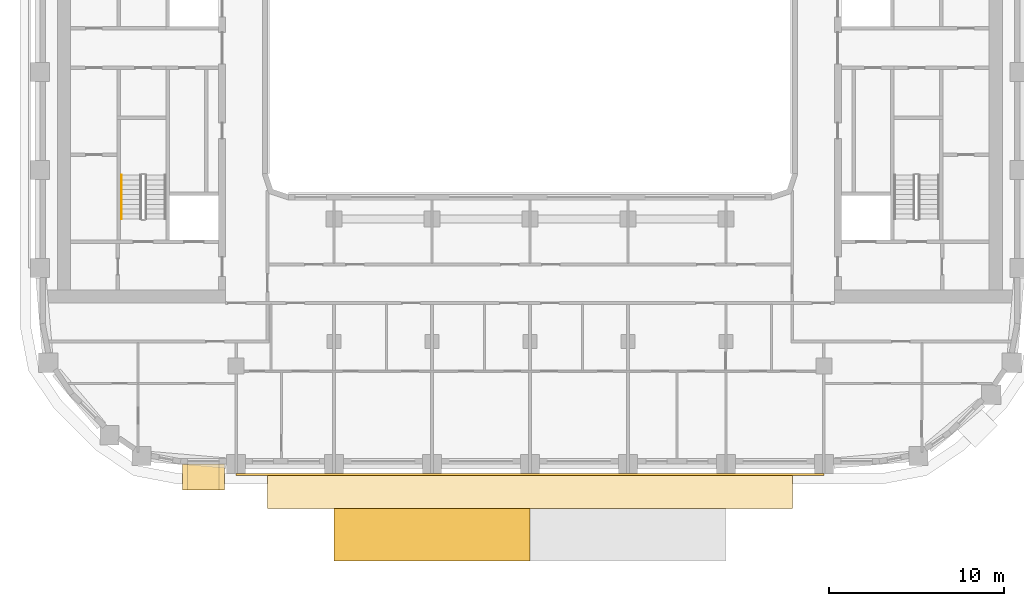
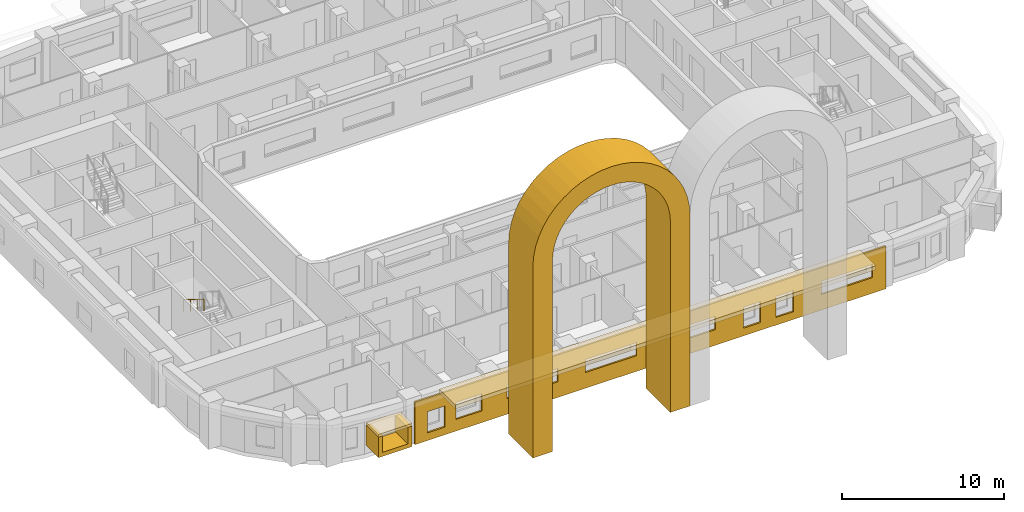
# One storey, part 11 of 18: 5 coverings, 1 railing.
"""IFC4 building model written with IfcOpenShell, lengths in metres."""

from ifc_helpers import new_model, si_unit, direction, frame, origin, origin_2d, place, context, subcontext, project, spatial, polyline, rectangle, circle, outline, extrude, material, layer, layer_set, type_object, element, save


model = new_model("IFC4")

# Units and contexts
model_context = context("Model", 3, precision=1e-05, world=origin(), true_north=direction((0.0, 1.0)))
body_context = subcontext(model_context, "Body", "Model", "MODEL_VIEW")
ifc_project = project(units=[si_unit("LENGTHUNIT", "METRE"), si_unit("AREAUNIT", "SQUARE_METRE"), si_unit("VOLUMEUNIT", "CUBIC_METRE"), si_unit("PLANEANGLEUNIT", "RADIAN"), si_unit("MASSUNIT", "GRAM", prefix="KILO")], contexts=[model_context])

# Site, building, storey
site_placement = place(None, origin())
site = spatial("IfcSite", under=ifc_project, at=site_placement, CompositionType="ELEMENT")
building_placement = place(site_placement, origin())
building = spatial("IfcBuilding", under=site, at=building_placement, Name="Kiln Ring Residences", CompositionType="ELEMENT")
storey_placement = place(building_placement, frame((0.0, 0.0, 157.10009765625)))
storey = spatial("IfcBuildingStorey", under=building, at=storey_placement, Name="L40", CompositionType="ELEMENT", Elevation=157.10009765625)

# Covering
ifc_material_1 = material(Name="Brick masonry, dark clay brick", Category="masonry")
ifc_layer_1 = layer(ifc_material_1, 1.39990234375)
ifc_layer_set_1 = layer_set([ifc_layer_1], Name="ARCH SURROUND 3000")
covering_type_1 = type_object("IfcCoveringType", Name="ARCH SURROUND 3000", PredefinedType="CLADDING", material=ifc_layer_set_1)
covering_1_placement = place(storey_placement, frame((0.0, -26.449951171875, 0.0), z_axis=(0.0, 0.0, 1.0), x_axis=(-1.0, 0.0, 0.0)))
element("IfcCovering", 1, at=covering_1_placement, inside=storey, type_object=covering_type_1, Name="ARCH SURROUND Z3 S2.1", PredefinedType="CLADDING", context=body_context, shape_type="SweptSolid", body=[
    extrude(outline(polyline([(11.199951171875, 0.0), (11.199951171875, 14.39990234375), (11.152099609375, 15.130859375), (11.00927734375, 15.849365234375), (10.773681640625, 16.54296875), (10.44970703125, 17.199951171875), (10.042724609375, 17.80908203125), (9.559814453125, 18.359619140625), (9.009033203125, 18.8427734375), (8.39990234375, 19.24951171875), (7.742919921875, 19.573486328125), (7.04931640625, 19.80908203125), (6.330810546875, 19.951904296875), (5.60009765625, 20.0), (4.869140625, 19.951904296875), (4.150634765625, 19.80908203125), (3.45703125, 19.573486328125), (2.800048828125, 19.24951171875), (2.19091796875, 18.8427734375), (1.64013671875, 18.359619140625), (1.1572265625, 17.80908203125), (0.750244140625, 17.199951171875), (0.42626953125, 16.54296875), (0.19091796875, 15.849365234375), (0.0478515625, 15.130859375), (0.0, 14.39990234375), (0.0, 0.0), (1.39990234375, 0.0), (1.39990234375, 14.39990234375), (1.435791015625, 14.947998046875), (1.543212890625, 15.48681640625), (1.7197265625, 16.00732421875), (1.962646484375, 16.5), (2.267822265625, 16.956787109375), (2.630126953125, 17.36962890625), (3.043212890625, 17.73193359375), (3.5, 18.037109375), (3.99267578125, 18.2802734375), (4.512939453125, 18.456787109375), (5.0517578125, 18.56396484375), (5.60009765625, 18.599853515625), (6.148193359375, 18.56396484375), (6.68701171875, 18.456787109375), (7.207275390625, 18.2802734375), (7.699951171875, 18.037109375), (8.15673828125, 17.73193359375), (8.56982421875, 17.36962890625), (8.93212890625, 16.956787109375), (9.2373046875, 16.5), (9.480224609375, 16.00732421875), (9.656982421875, 15.48681640625), (9.76416015625, 14.947998046875), (9.800048828125, 14.39990234375), (9.800048828125, 0.0), (11.199951171875, 0.0)])), frame((0.0, 1.5, 0.0), z_axis=(0.0, -1.0, 0.0), x_axis=(1.0, 0.0, 0.0)), (0.0, 0.0, 1.0), 3.0),
])

# Railing
ifc_material_2 = material(Name="Stainless steel", Category="steel")
railing_type = type_object("IfcRailingType", Name="CORE-STAIR-HANDRAIL", PredefinedType="HANDRAIL", material=ifc_material_2)
railing_placement = place(storey_placement, frame((-23.35009765625, -5.8798828125, 1.9248046875)))
element("IfcRailing", 2, at=railing_placement, inside=storey, type_object=railing_type, Name="L40 W-STS stair handrail 2", PredefinedType="HANDRAIL", context=body_context, shape_type="SweptSolid", body=[
    extrude(circle(Radius=0.02392578125, at=origin_2d()), frame((0.0, 0.0, 0.8759765625), z_axis=(0.0, -0.847970611238, 0.530043245855), x_axis=(1.0, 0.0, 0.0)), (0.0, 0.0, 1.0), 2.971923828125),
    extrude(circle(Radius=0.02099609375, at=origin_2d()), origin(), (0.0, 0.0, 1.0), 0.851806640625),
    extrude(circle(Radius=0.02099609375, at=origin_2d()), frame((0.0, -0.840087890625, 0.525146484375)), (0.0, 0.0, 1.0), 0.851806640625),
    extrude(circle(Radius=0.02099609375, at=origin_2d()), frame((0.0, -1.679931640625, 1.050048828125)), (0.0, 0.0, 1.0), 0.851806640625),
    extrude(circle(Radius=0.02099609375, at=origin_2d()), frame((0.0, -2.52001953125, 1.5751953125)), (0.0, 0.0, 1.0), 0.851806640625),
])

# Coverings
ifc_material_3 = material(Name="Brick masonry, dark clay brick", Category="masonry")
ifc_layer_2 = layer(ifc_material_3, 0.300048828125)
ifc_layer_set_2 = layer_set([ifc_layer_2], Name="FRAME CHEEKS AND SILL 1500")
covering_type_2 = type_object("IfcCoveringType", Name="FRAME CHEEKS AND SILL 1500", PredefinedType="CLADDING", material=ifc_layer_set_2)
covering_2_placement = place(storey_placement, frame((-19.875, -23.14990234375, 0.599853515625), z_axis=(0.0, 0.0, 1.0), x_axis=(1.0, 0.0, 0.0)))
element("IfcCovering", 3, at=covering_2_placement, inside=storey, type_object=covering_type_2, Name="FRAME L40", PredefinedType="CLADDING", context=body_context, shape_type="SweptSolid", body=[
    extrude(outline(polyline([(0.0, 0.0), (2.39990234375, 0.0), (2.39990234375, 1.550048828125), (2.10107421875, 1.550048828125), (2.10009765625, 0.300048828125), (0.300048828125, 0.300048828125), (0.299072265625, 1.550048828125), (0.0, 1.550048828125), (0.0, 0.0)])), frame((0.0, 0.75, 0.0), z_axis=(0.0, -1.0, 0.0), x_axis=(1.0, 0.0, 0.0)), (0.0, 0.0, 1.0), 1.5),
])
ifc_material_4 = material(Name="Brick masonry, dark clay brick", Category="masonry")
ifc_layer_3 = layer(ifc_material_4, 0.199951171875)
ifc_layer_set_3 = layer_set([ifc_layer_3], Name="FRAME HEAD 1500")
covering_type_3 = type_object("IfcCoveringType", Name="FRAME HEAD 1500", PredefinedType="CLADDING", material=ifc_layer_set_3)
covering_3_placement = place(storey_placement, frame((-18.675048828125, -23.14990234375, 2.14990234375), z_axis=(0.0, 0.0, 1.0), x_axis=(1.0, 0.0, 0.0)))
element("IfcCovering", 4, at=covering_3_placement, inside=storey, type_object=covering_type_3, Name="FRAME HEAD L40", PredefinedType="CLADDING", context=body_context, shape_type="SweptSolid", body=[
    extrude(rectangle(XDim=2.39990234375, YDim=1.5, at=origin_2d()), origin(), (0.0, 0.0, 1.0), 0.199951171875),
])
ifc_material_5 = material(Name="Brick masonry, dark clay brick", Category="masonry")
ifc_layer_4 = layer(ifc_material_5, 0.1201171875)
ifc_layer_set_4 = layer_set([ifc_layer_4], Name="RAINSCREEN PANEL 120")
covering_type_4 = type_object("IfcCoveringType", Name="RAINSCREEN PANEL 120", PredefinedType="CLADDING", material=ifc_layer_set_4)
covering_4_placement = place(storey_placement, frame((-16.800048828125, -23.010009765625, 0.0), z_axis=(0.0, 0.0, 1.0), x_axis=(1.0, 0.0, 0.0)))
element("IfcCovering", 5, at=covering_4_placement, inside=storey, type_object=covering_type_4, Name="RAINSCREEN L40", PredefinedType="CLADDING", context=body_context, shape_type="SweptSolid", body=[
    extrude(outline(polyline([(0.0, 0.0), (33.60009765625, 0.0), (33.60009765625, 3.199951171875), (0.0, 3.199951171875), (0.0, 0.0)]), holes=[polyline([(0.91748046875, 0.579833984375), (2.157470703125, 0.579833984375), (2.157470703125, 2.169921875), (0.91748046875, 2.169921875), (0.91748046875, 0.579833984375)]), polyline([(23.41748046875, 0.579833984375), (24.657470703125, 0.579833984375), (24.657470703125, 2.169921875), (23.41748046875, 2.169921875), (23.41748046875, 0.579833984375)]), polyline([(25.742431640625, 0.579833984375), (26.982421875, 0.579833984375), (26.982421875, 2.169921875), (25.742431640625, 2.169921875), (25.742431640625, 0.579833984375)]), polyline([(2.9423828125, 0.8798828125), (4.782470703125, 0.8798828125), (4.782470703125, 2.169921875), (2.9423828125, 2.169921875), (2.9423828125, 0.8798828125)]), polyline([(6.580078125, 1.179931640625), (10.219970703125, 1.179931640625), (10.219970703125, 2.169921875), (6.580078125, 2.169921875), (6.580078125, 1.179931640625)]), polyline([(12.179931640625, 1.179931640625), (15.820068359375, 1.179931640625), (15.820068359375, 2.169921875), (12.179931640625, 2.169921875), (12.179931640625, 1.179931640625)]), polyline([(17.780029296875, 1.179931640625), (21.419921875, 1.179931640625), (21.419921875, 2.169921875), (17.780029296875, 2.169921875), (17.780029296875, 1.179931640625)]), polyline([(28.97998046875, 1.179931640625), (32.6201171875, 1.179931640625), (32.6201171875, 2.169921875), (28.97998046875, 2.169921875), (28.97998046875, 1.179931640625)])]), frame((0.0, 0.06005859375, 0.0), z_axis=(0.0, -1.0, 0.0), x_axis=(1.0, 0.0, 0.0)), (0.0, 0.0, 1.0), 0.1201171875),
])
ifc_material_6 = material(Name="Black powder-coated steel", Category="steel")
ifc_layer_5 = layer(ifc_material_6, 0.300048828125)
ifc_layer_set_5 = layer_set([ifc_layer_5], Name="SUNSHADE BAND 2000")
covering_type_5 = type_object("IfcCoveringType", Name="SUNSHADE BAND 2000", PredefinedType="CLADDING", material=ifc_layer_set_5)
covering_5_placement = place(storey_placement, frame((0.0, 0.0, 3.199951171875)))
element("IfcCovering", 6, at=covering_5_placement, inside=storey, type_object=covering_type_5, Name="SUNSHADE BAND L40", PredefinedType="CLADDING", context=body_context, shape_type="SweptSolid", body=[
    extrude(outline(polyline([(-15.0, -24.949951171875), (15.0, -24.949951171875), (15.0, -22.949951171875), (-15.0, -22.949951171875), (-15.0, -24.949951171875)])), origin(), (0.0, 0.0, 1.0), 0.300048828125),
])

save(model, "model.ifc")
